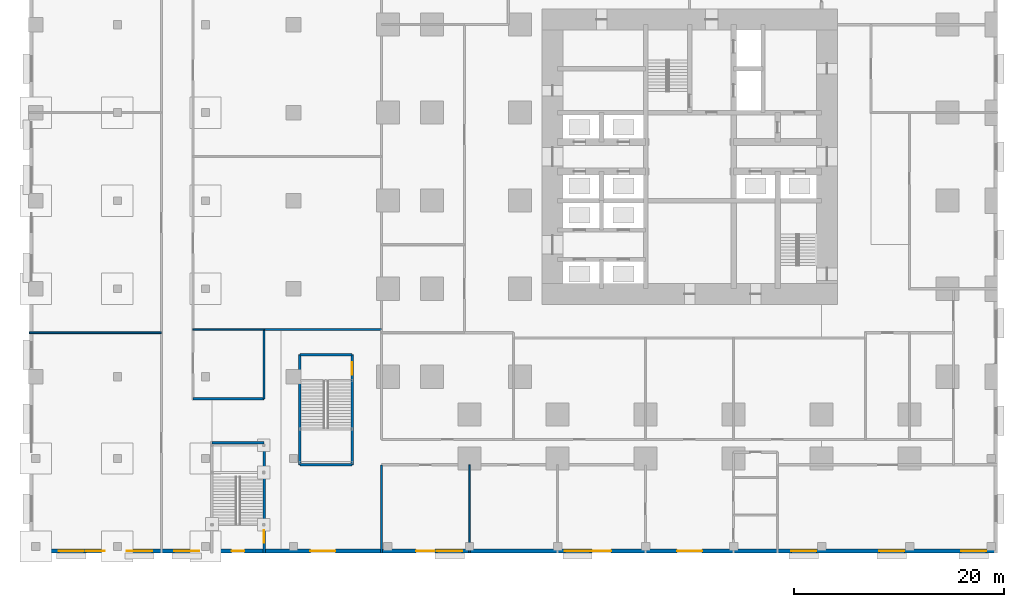
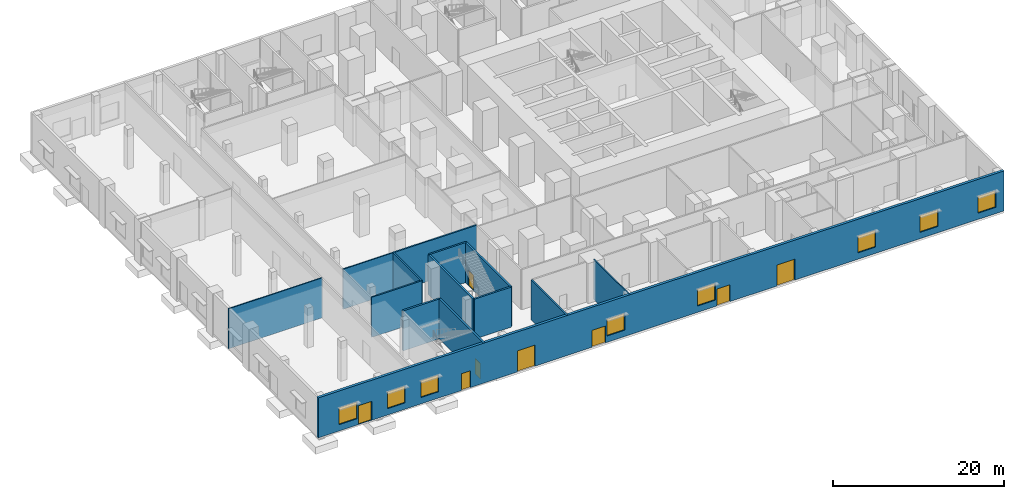
# One storey, part 15 of 26: 14 walls, 8 doors, 8 windows, 16 openings.
"""IFC4 building model written with IfcOpenShell, lengths in metres."""

from ifc_helpers import new_model, si_unit, direction, frame, frame_2d, origin, place, context, subcontext, project, spatial, rectangle, extrude, material, layer, layer_set, type_object, element, fill, save


model = new_model("IFC4")

# Units and contexts
model_context = context("Model", 3, precision=1e-05, world=origin(), true_north=direction((0.0, 1.0)))
body_context = subcontext(model_context, "Body", "Model", "MODEL_VIEW")
ifc_project = project(units=[si_unit("LENGTHUNIT", "METRE"), si_unit("AREAUNIT", "SQUARE_METRE"), si_unit("VOLUMEUNIT", "CUBIC_METRE"), si_unit("PLANEANGLEUNIT", "RADIAN"), si_unit("MASSUNIT", "GRAM", prefix="KILO")], contexts=[model_context])

# Site, building, storey
site_placement = place(None, origin())
site = spatial("IfcSite", under=ifc_project, at=site_placement, CompositionType="ELEMENT")
building_placement = place(site_placement, origin())
building = spatial("IfcBuilding", under=site, at=building_placement, Name="Dunama Terrace Hotel", CompositionType="ELEMENT")
storey_placement = place(building_placement, origin())
storey = spatial("IfcBuildingStorey", under=building, at=storey_placement, Name="L00", CompositionType="ELEMENT", Elevation=0.0)

# Walls
ifc_material_1 = material(Name="Concrete blockwork", Category="masonry")
ifc_layer_1 = layer(ifc_material_1, 0.199951171875)
ifc_layer_set_1 = layer_set([ifc_layer_1], Name="Corridor partition 200")
wall_type_1 = type_object("IfcWallType", Name="Corridor partition 200", PredefinedType="PARTITIONING", material=ifc_layer_set_1)
wall_1_placement = place(storey_placement, frame((-11.199951171875, 6.300048828125, 0.0), z_axis=(0.0, 0.0, 1.0), x_axis=(0.0, 1.0, 0.0)))
element("IfcWall", 1, at=wall_1_placement, inside=storey, type_object=wall_type_1, Name="Corridor partition 200 L00", PredefinedType="PARTITIONING", context=body_context, shape_type="SweptSolid", body=[
    extrude(rectangle(XDim=6.599853515625, YDim=0.199951171875, at=frame_2d((3.2998046875, 0.0))), origin(), (0.0, 0.0, 1.0), 5.699951171875),
])
wall_2_placement = place(storey_placement, frame((0.0, -8.39990234375, 0.0), z_axis=(0.0, 0.0, 1.0), x_axis=(0.0, 1.0, 0.0)))
element("IfcWall", 2, at=wall_2_placement, inside=storey, type_object=wall_type_1, Name="Corridor partition 200 L00", PredefinedType="PARTITIONING", context=body_context, shape_type="SweptSolid", body=[
    extrude(rectangle(XDim=8.39990234375, YDim=0.199951171875, at=frame_2d((4.199951171875, 0.0))), origin(), (0.0, 0.0, 1.0), 5.699951171875),
])
wall_3_placement = place(storey_placement, frame((-18.0, 6.300048828125, 0.0), z_axis=(0.0, 0.0, 1.0), x_axis=(1.0, 0.0, 0.0)))
element("IfcWall", 3, at=wall_3_placement, inside=storey, type_object=wall_type_1, Name="Corridor partition 200 L00", PredefinedType="PARTITIONING", context=body_context, shape_type="SweptSolid", body=[
    extrude(rectangle(XDim=6.800048828125, YDim=0.199951171875, at=frame_2d((3.39990234375, 0.0))), origin(), (0.0, 0.0, 1.0), 5.699951171875),
])
wall_4_placement = place(storey_placement, frame((0.0, 12.89990234375, 0.0), z_axis=(0.0, 0.0, 1.0), x_axis=(-1.0, 0.0, 0.0)))
element("IfcWall", 4, at=wall_4_placement, inside=storey, type_object=wall_type_1, Name="Corridor partition 200 L00", PredefinedType="PARTITIONING", context=body_context, shape_type="SweptSolid", body=[
    extrude(rectangle(XDim=11.199951171875, YDim=0.199951171875, at=frame_2d((5.60009765625, 0.0))), origin(), (0.0, 0.0, 1.0), 5.699951171875),
])

# Wall, openings, doors, windows
ifc_material_2 = material(Name="Granite-faced concrete blockwork", Category="masonry")
ifc_layer_2 = layer(ifc_material_2, 0.35009765625)
ifc_layer_set_2 = layer_set([ifc_layer_2], Name="Podium external wall 350")
wall_type_2 = type_object("IfcWallType", Name="Podium external wall 350", PredefinedType="SOLIDWALL", material=ifc_layer_set_2)
wall_5_placement = place(storey_placement, frame((-33.60009765625, -8.22509765625, 0.0), z_axis=(0.0, 0.0, 1.0), x_axis=(1.0, 0.0, 0.0)))
wall_5 = element("IfcWall", 5, at=wall_5_placement, inside=storey, type_object=wall_type_2, Name="Podium external wall 350 L00", PredefinedType="SOLIDWALL", context=body_context, shape_type="SweptSolid", body=[
    extrude(rectangle(XDim=92.400146484375, YDim=0.35009765625, at=frame_2d((46.2001953125, 0.0))), origin(), (0.0, 0.0, 1.0), 5.699951171875),
])
opening_1_placement = place(wall_5_placement, frame((5.39990234375, 0.0, 0.0)))
opening_1 = element("IfcOpeningElement", 6, at=opening_1_placement, cuts=wall_5, Name="Opening L00-001", PredefinedType="OPENING", context=body_context, shape_type="SweptSolid", body=[
    extrude(rectangle(XDim=1.800048828125, YDim=2.699951171875, at=frame_2d((0.89990234375, 1.35009765625))), frame((0.0, 0.18505859375, 0.0), z_axis=(0.0, -1.0, 0.0), x_axis=(1.0, 0.0, 0.0)), (0.0, 0.0, 1.0), 0.3701171875),
])
opening_2_placement = place(wall_5_placement, frame((2.800048828125, 0.0, 0.89990234375)))
opening_2 = element("IfcOpeningElement", 7, at=opening_2_placement, cuts=wall_5, Name="Opening W1", PredefinedType="OPENING", context=body_context, shape_type="SweptSolid", body=[
    extrude(rectangle(XDim=2.39990234375, YDim=2.39990234375, at=frame_2d((1.199951171875, 1.199951171875))), frame((0.0, 0.18505859375, 0.0), z_axis=(0.0, -1.0, 0.0), x_axis=(1.0, 0.0, 0.0)), (0.0, 0.0, 1.0), 0.3701171875),
])
opening_3_placement = place(wall_5_placement, frame((9.300048828125, 0.0, 0.89990234375)))
opening_3 = element("IfcOpeningElement", 8, at=opening_3_placement, cuts=wall_5, Name="Opening W1", PredefinedType="OPENING", context=body_context, shape_type="SweptSolid", body=[
    extrude(rectangle(XDim=2.39990234375, YDim=2.39990234375, at=frame_2d((1.199951171875, 1.199951171875))), frame((0.0, 0.18505859375, 0.0), z_axis=(0.0, -1.0, 0.0), x_axis=(1.0, 0.0, 0.0)), (0.0, 0.0, 1.0), 0.3701171875),
])
opening_4_placement = place(wall_5_placement, frame((13.800048828125, 0.0, 0.89990234375)))
opening_4 = element("IfcOpeningElement", 9, at=opening_4_placement, cuts=wall_5, Name="Opening W1", PredefinedType="OPENING", context=body_context, shape_type="SweptSolid", body=[
    extrude(rectangle(XDim=2.39990234375, YDim=2.39990234375, at=frame_2d((1.199951171875, 1.199951171875))), frame((0.0, 0.18505859375, 0.0), z_axis=(0.0, -1.0, 0.0), x_axis=(1.0, 0.0, 0.0)), (0.0, 0.0, 1.0), 0.3701171875),
])
opening_5_placement = place(wall_5_placement, frame((19.300048828125, 0.0, 0.0)))
opening_5 = element("IfcOpeningElement", 10, at=opening_5_placement, cuts=wall_5, Name="Opening L00-002", PredefinedType="OPENING", context=body_context, shape_type="SweptSolid", body=[
    extrude(rectangle(XDim=1.199951171875, YDim=2.39990234375, at=frame_2d((0.60009765625, 1.199951171875))), frame((0.0, 0.18505859375, 0.0), z_axis=(0.0, -1.0, 0.0), x_axis=(1.0, 0.0, 0.0)), (0.0, 0.0, 1.0), 0.3701171875),
])
opening_6_placement = place(wall_5_placement, frame((26.800048828125, 0.0, 0.0)))
opening_6 = element("IfcOpeningElement", 11, at=opening_6_placement, cuts=wall_5, Name="Opening L00-003", PredefinedType="OPENING", context=body_context, shape_type="SweptSolid", body=[
    extrude(rectangle(XDim=2.39990234375, YDim=3.0, at=frame_2d((1.199951171875, 1.5))), frame((0.0, 0.18505859375, 0.0), z_axis=(0.0, -1.0, 0.0), x_axis=(1.0, 0.0, 0.0)), (0.0, 0.0, 1.0), 0.3701171875),
])
opening_7_placement = place(wall_5_placement, frame((36.89990234375, 0.0, 0.0)))
opening_7 = element("IfcOpeningElement", 12, at=opening_7_placement, cuts=wall_5, Name="Opening L00-004", PredefinedType="OPENING", context=body_context, shape_type="SweptSolid", body=[
    extrude(rectangle(XDim=1.800048828125, YDim=2.39990234375, at=frame_2d((0.89990234375, 1.199951171875))), frame((0.0, 0.18505859375, 0.0), z_axis=(0.0, -1.0, 0.0), x_axis=(1.0, 0.0, 0.0)), (0.0, 0.0, 1.0), 0.3701171875),
])
opening_8_placement = place(wall_5_placement, frame((38.89990234375, 0.0, 0.89990234375)))
opening_8 = element("IfcOpeningElement", 13, at=opening_8_placement, cuts=wall_5, Name="Opening W1", PredefinedType="OPENING", context=body_context, shape_type="SweptSolid", body=[
    extrude(rectangle(XDim=2.39990234375, YDim=2.39990234375, at=frame_2d((1.199951171875, 1.199951171875))), frame((0.0, 0.18505859375, 0.0), z_axis=(0.0, -1.0, 0.0), x_axis=(1.0, 0.0, 0.0)), (0.0, 0.0, 1.0), 0.3701171875),
])
opening_9_placement = place(wall_5_placement, frame((53.699951171875, 0.0, 0.0)))
opening_9 = element("IfcOpeningElement", 14, at=opening_9_placement, cuts=wall_5, Name="Opening L00-005", PredefinedType="OPENING", context=body_context, shape_type="SweptSolid", body=[
    extrude(rectangle(XDim=1.800048828125, YDim=2.39990234375, at=frame_2d((0.89990234375, 1.199951171875))), frame((0.0, 0.18505859375, 0.0), z_axis=(0.0, -1.0, 0.0), x_axis=(1.0, 0.0, 0.0)), (0.0, 0.0, 1.0), 0.3701171875),
])
opening_10_placement = place(wall_5_placement, frame((51.10009765625, 0.0, 0.89990234375)))
opening_10 = element("IfcOpeningElement", 15, at=opening_10_placement, cuts=wall_5, Name="Opening W1", PredefinedType="OPENING", context=body_context, shape_type="SweptSolid", body=[
    extrude(rectangle(XDim=2.39990234375, YDim=2.39990234375, at=frame_2d((1.199951171875, 1.199951171875))), frame((0.0, 0.18505859375, 0.0), z_axis=(0.0, -1.0, 0.0), x_axis=(1.0, 0.0, 0.0)), (0.0, 0.0, 1.0), 0.3701171875),
])
opening_11_placement = place(wall_5_placement, frame((61.800048828125, 0.0, 0.0)))
opening_11 = element("IfcOpeningElement", 16, at=opening_11_placement, cuts=wall_5, Name="Opening L00-006", PredefinedType="OPENING", context=body_context, shape_type="SweptSolid", body=[
    extrude(rectangle(XDim=2.39990234375, YDim=3.0, at=frame_2d((1.199951171875, 1.5))), frame((0.0, 0.18505859375, 0.0), z_axis=(0.0, -1.0, 0.0), x_axis=(1.0, 0.0, 0.0)), (0.0, 0.0, 1.0), 0.3701171875),
])
opening_12_placement = place(wall_5_placement, frame((72.699951171875, 0.0, 0.89990234375)))
opening_12 = element("IfcOpeningElement", 17, at=opening_12_placement, cuts=wall_5, Name="Opening W1", PredefinedType="OPENING", context=body_context, shape_type="SweptSolid", body=[
    extrude(rectangle(XDim=2.39990234375, YDim=2.39990234375, at=frame_2d((1.199951171875, 1.199951171875))), frame((0.0, 0.18505859375, 0.0), z_axis=(0.0, -1.0, 0.0), x_axis=(1.0, 0.0, 0.0)), (0.0, 0.0, 1.0), 0.3701171875),
])
opening_13_placement = place(wall_5_placement, frame((81.10009765625, 0.0, 0.89990234375)))
opening_13 = element("IfcOpeningElement", 18, at=opening_13_placement, cuts=wall_5, Name="Opening W1", PredefinedType="OPENING", context=body_context, shape_type="SweptSolid", body=[
    extrude(rectangle(XDim=2.39990234375, YDim=2.39990234375, at=frame_2d((1.199951171875, 1.199951171875))), frame((0.0, 0.18505859375, 0.0), z_axis=(0.0, -1.0, 0.0), x_axis=(1.0, 0.0, 0.0)), (0.0, 0.0, 1.0), 0.3701171875),
])
opening_14_placement = place(wall_5_placement, frame((88.89990234375, 0.0, 0.89990234375)))
opening_14 = element("IfcOpeningElement", 19, at=opening_14_placement, cuts=wall_5, Name="Opening W1", PredefinedType="OPENING", context=body_context, shape_type="SweptSolid", body=[
    extrude(rectangle(XDim=2.39990234375, YDim=2.39990234375, at=frame_2d((1.199951171875, 1.199951171875))), frame((0.0, 0.18505859375, 0.0), z_axis=(0.0, -1.0, 0.0), x_axis=(1.0, 0.0, 0.0)), (0.0, 0.0, 1.0), 0.3701171875),
])
ifc_material_3 = material(Name="Aluminium-framed glazed door", Category="aluminium")
door_type_1 = type_object("IfcDoorType", Name="Exit door 1800", OperationType="DOUBLE_DOOR_DOUBLE_SWING", PredefinedType="DOOR", material=ifc_material_3)
door_1_placement = place(opening_7_placement, origin())
door_1 = element("IfcDoor", 20, at=door_1_placement, inside=storey, type_object=door_type_1, Name="Street door Fire command centre L00-004, type D10", OperationType="DOUBLE_DOOR_DOUBLE_SWING", OverallHeight=2.39990234375, OverallWidth=1.800048828125, PredefinedType="DOOR", context=body_context, shape_type="SweptSolid", body=[
    extrude(rectangle(XDim=1.800048828125, YDim=2.39990234375, at=frame_2d((0.89990234375, 1.199951171875))), frame((0.0, 0.02490234375, 0.0), z_axis=(0.0, -1.0, 0.0), x_axis=(1.0, 0.0, 0.0)), (0.0, 0.0, 1.0), 0.050048828125),
])
fill(opening_7, door_1)
door_2_placement = place(opening_9_placement, origin())
door_2 = element("IfcDoor", 21, at=door_2_placement, inside=storey, type_object=door_type_1, Name="Street door Staff entrance and security L00-005, type D10", OperationType="DOUBLE_DOOR_DOUBLE_SWING", OverallHeight=2.39990234375, OverallWidth=1.800048828125, PredefinedType="DOOR", context=body_context, shape_type="SweptSolid", body=[
    extrude(rectangle(XDim=1.800048828125, YDim=2.39990234375, at=frame_2d((0.89990234375, 1.199951171875))), frame((0.0, 0.02490234375, 0.0), z_axis=(0.0, -1.0, 0.0), x_axis=(1.0, 0.0, 0.0)), (0.0, 0.0, 1.0), 0.050048828125),
])
fill(opening_9, door_2)
ifc_material_4 = material(Name="Aluminium-framed glazed door", Category="aluminium")
door_type_2 = type_object("IfcDoorType", Name="Main entrance door 2400", OperationType="DOUBLE_DOOR_DOUBLE_SWING", PredefinedType="DOOR", material=ifc_material_4)
door_3_placement = place(opening_6_placement, origin())
door_3 = element("IfcDoor", 22, at=door_3_placement, inside=storey, type_object=door_type_2, Name="Entrance door L00-003, type D14", OperationType="DOUBLE_DOOR_DOUBLE_SWING", OverallHeight=3.0, OverallWidth=2.39990234375, PredefinedType="DOOR", context=body_context, shape_type="SweptSolid", body=[
    extrude(rectangle(XDim=2.39990234375, YDim=3.0, at=frame_2d((1.199951171875, 1.5))), frame((0.0, 0.02490234375, 0.0), z_axis=(0.0, -1.0, 0.0), x_axis=(1.0, 0.0, 0.0)), (0.0, 0.0, 1.0), 0.050048828125),
])
fill(opening_6, door_3)
door_4_placement = place(opening_11_placement, origin())
door_4 = element("IfcDoor", 23, at=door_4_placement, inside=storey, type_object=door_type_2, Name="Entrance door L00-006, type D14", OperationType="DOUBLE_DOOR_DOUBLE_SWING", OverallHeight=3.0, OverallWidth=2.39990234375, PredefinedType="DOOR", context=body_context, shape_type="SweptSolid", body=[
    extrude(rectangle(XDim=2.39990234375, YDim=3.0, at=frame_2d((1.199951171875, 1.5))), frame((0.0, 0.02490234375, 0.0), z_axis=(0.0, -1.0, 0.0), x_axis=(1.0, 0.0, 0.0)), (0.0, 0.0, 1.0), 0.050048828125),
])
fill(opening_11, door_4)
ifc_material_5 = material(Name="Aluminium-framed double glazed window", Category="aluminium")
window_type = type_object("IfcWindowType", Name="Podium window 2400", PartitioningType="SINGLE_PANEL", PredefinedType="WINDOW", material=ifc_material_5)
window_1_placement = place(opening_2_placement, origin())
window_1 = element("IfcWindow", 24, at=window_1_placement, inside=storey, type_object=window_type, Name="Podium window 2400 L00", OverallHeight=2.39990234375, OverallWidth=2.39990234375, PartitioningType="SINGLE_PANEL", PredefinedType="WINDOW", context=body_context, shape_type="SweptSolid", body=[
    extrude(rectangle(XDim=2.39990234375, YDim=2.39990234375, at=frame_2d((1.199951171875, 1.199951171875))), frame((0.0, 0.030029296875, 0.0), z_axis=(0.0, -1.0, 0.0), x_axis=(1.0, 0.0, 0.0)), (0.0, 0.0, 1.0), 0.06005859375),
])
fill(opening_2, window_1)
window_2_placement = place(opening_3_placement, origin())
window_2 = element("IfcWindow", 25, at=window_2_placement, inside=storey, type_object=window_type, Name="Podium window 2400 L00", OverallHeight=2.39990234375, OverallWidth=2.39990234375, PartitioningType="SINGLE_PANEL", PredefinedType="WINDOW", context=body_context, shape_type="SweptSolid", body=[
    extrude(rectangle(XDim=2.39990234375, YDim=2.39990234375, at=frame_2d((1.199951171875, 1.199951171875))), frame((0.0, 0.030029296875, 0.0), z_axis=(0.0, -1.0, 0.0), x_axis=(1.0, 0.0, 0.0)), (0.0, 0.0, 1.0), 0.06005859375),
])
fill(opening_3, window_2)
window_3_placement = place(opening_4_placement, origin())
window_3 = element("IfcWindow", 26, at=window_3_placement, inside=storey, type_object=window_type, Name="Podium window 2400 L00", OverallHeight=2.39990234375, OverallWidth=2.39990234375, PartitioningType="SINGLE_PANEL", PredefinedType="WINDOW", context=body_context, shape_type="SweptSolid", body=[
    extrude(rectangle(XDim=2.39990234375, YDim=2.39990234375, at=frame_2d((1.199951171875, 1.199951171875))), frame((0.0, 0.030029296875, 0.0), z_axis=(0.0, -1.0, 0.0), x_axis=(1.0, 0.0, 0.0)), (0.0, 0.0, 1.0), 0.06005859375),
])
fill(opening_4, window_3)
window_4_placement = place(opening_8_placement, origin())
window_4 = element("IfcWindow", 27, at=window_4_placement, inside=storey, type_object=window_type, Name="Podium window 2400 L00", OverallHeight=2.39990234375, OverallWidth=2.39990234375, PartitioningType="SINGLE_PANEL", PredefinedType="WINDOW", context=body_context, shape_type="SweptSolid", body=[
    extrude(rectangle(XDim=2.39990234375, YDim=2.39990234375, at=frame_2d((1.199951171875, 1.199951171875))), frame((0.0, 0.030029296875, 0.0), z_axis=(0.0, -1.0, 0.0), x_axis=(1.0, 0.0, 0.0)), (0.0, 0.0, 1.0), 0.06005859375),
])
fill(opening_8, window_4)
window_5_placement = place(opening_10_placement, origin())
window_5 = element("IfcWindow", 28, at=window_5_placement, inside=storey, type_object=window_type, Name="Podium window 2400 L00", OverallHeight=2.39990234375, OverallWidth=2.39990234375, PartitioningType="SINGLE_PANEL", PredefinedType="WINDOW", context=body_context, shape_type="SweptSolid", body=[
    extrude(rectangle(XDim=2.39990234375, YDim=2.39990234375, at=frame_2d((1.199951171875, 1.199951171875))), frame((0.0, 0.030029296875, 0.0), z_axis=(0.0, -1.0, 0.0), x_axis=(1.0, 0.0, 0.0)), (0.0, 0.0, 1.0), 0.06005859375),
])
fill(opening_10, window_5)
window_6_placement = place(opening_12_placement, origin())
window_6 = element("IfcWindow", 29, at=window_6_placement, inside=storey, type_object=window_type, Name="Podium window 2400 L00", OverallHeight=2.39990234375, OverallWidth=2.39990234375, PartitioningType="SINGLE_PANEL", PredefinedType="WINDOW", context=body_context, shape_type="SweptSolid", body=[
    extrude(rectangle(XDim=2.39990234375, YDim=2.39990234375, at=frame_2d((1.199951171875, 1.199951171875))), frame((0.0, 0.030029296875, 0.0), z_axis=(0.0, -1.0, 0.0), x_axis=(1.0, 0.0, 0.0)), (0.0, 0.0, 1.0), 0.06005859375),
])
fill(opening_12, window_6)
window_7_placement = place(opening_13_placement, origin())
window_7 = element("IfcWindow", 30, at=window_7_placement, inside=storey, type_object=window_type, Name="Podium window 2400 L00", OverallHeight=2.39990234375, OverallWidth=2.39990234375, PartitioningType="SINGLE_PANEL", PredefinedType="WINDOW", context=body_context, shape_type="SweptSolid", body=[
    extrude(rectangle(XDim=2.39990234375, YDim=2.39990234375, at=frame_2d((1.199951171875, 1.199951171875))), frame((0.0, 0.030029296875, 0.0), z_axis=(0.0, -1.0, 0.0), x_axis=(1.0, 0.0, 0.0)), (0.0, 0.0, 1.0), 0.06005859375),
])
fill(opening_13, window_7)
window_8_placement = place(opening_14_placement, origin())
window_8 = element("IfcWindow", 31, at=window_8_placement, inside=storey, type_object=window_type, Name="Podium window 2400 L00", OverallHeight=2.39990234375, OverallWidth=2.39990234375, PartitioningType="SINGLE_PANEL", PredefinedType="WINDOW", context=body_context, shape_type="SweptSolid", body=[
    extrude(rectangle(XDim=2.39990234375, YDim=2.39990234375, at=frame_2d((1.199951171875, 1.199951171875))), frame((0.0, 0.030029296875, 0.0), z_axis=(0.0, -1.0, 0.0), x_axis=(1.0, 0.0, 0.0)), (0.0, 0.0, 1.0), 0.06005859375),
])
fill(opening_14, window_8)
ifc_material_6 = material(Name="Aluminium-framed glazed door", Category="aluminium")
door_type_3 = type_object("IfcDoorType", Name="Shopfront door 1800", OperationType="DOUBLE_DOOR_DOUBLE_SWING", PredefinedType="DOOR", material=ifc_material_6)
door_5_placement = place(opening_1_placement, origin())
door_5 = element("IfcDoor", 32, at=door_5_placement, inside=storey, type_object=door_type_3, Name="Street door Retail unit R1 L00-001, type D11", OperationType="DOUBLE_DOOR_DOUBLE_SWING", OverallHeight=2.699951171875, OverallWidth=1.800048828125, PredefinedType="DOOR", context=body_context, shape_type="SweptSolid", body=[
    extrude(rectangle(XDim=1.800048828125, YDim=2.699951171875, at=frame_2d((0.89990234375, 1.35009765625))), frame((0.0, 0.02490234375, 0.0), z_axis=(0.0, -1.0, 0.0), x_axis=(1.0, 0.0, 0.0)), (0.0, 0.0, 1.0), 0.050048828125),
])
fill(opening_1, door_5)
ifc_material_7 = material(Name="Timber door with steel frame", Category="steel")
door_type_4 = type_object("IfcDoorType", Name="Stair exit door 1200", OperationType="SINGLE_SWING_LEFT", PredefinedType="DOOR", material=ifc_material_7)
door_6_placement = place(opening_5_placement, frame((1.199951171875, 0.0, 0.0), z_axis=(0.0, 0.0, 1.0), x_axis=(-1.0, 0.0, 0.0)))
door_6 = element("IfcDoor", 33, at=door_6_placement, inside=storey, type_object=door_type_4, Name="Exit door Exit stair P2 L00-002, type D15", OperationType="SINGLE_SWING_RIGHT", OverallHeight=2.39990234375, OverallWidth=1.199951171875, PredefinedType="DOOR", context=body_context, shape_type="SweptSolid", body=[
    extrude(rectangle(XDim=1.199951171875, YDim=2.39990234375, at=frame_2d((0.599853515625, 1.199951171875))), frame((0.0, 0.025146484375, 0.0), z_axis=(0.0, -1.0, 0.0), x_axis=(1.0, 0.0, 0.0)), (0.0, 0.0, 1.0), 0.050048828125),
])
fill(opening_5, door_6)

# Walls
ifc_material_8 = material(Name="Gypsum board partition", Category="masonry")
ifc_layer_3 = layer(ifc_material_8, 0.14990234375)
ifc_layer_set_3 = layer_set([ifc_layer_3], Name="Room partition 150")
wall_type_3 = type_object("IfcWallType", Name="Room partition 150", PredefinedType="PARTITIONING", material=ifc_layer_set_3)
wall_6_placement = place(storey_placement, frame((8.39990234375, -8.39990234375, 0.0), z_axis=(0.0, 0.0, 1.0), x_axis=(0.0, 1.0, 0.0)))
element("IfcWall", 34, at=wall_6_placement, inside=storey, type_object=wall_type_3, Name="Room partition 150 L00", PredefinedType="PARTITIONING", context=body_context, shape_type="SweptSolid", body=[
    extrude(rectangle(XDim=8.39990234375, YDim=0.14990234375, at=frame_2d((4.199951171875, 0.0))), origin(), (0.0, 0.0, 1.0), 5.699951171875),
])
wall_7_placement = place(storey_placement, frame((-33.60009765625, 12.60009765625, 0.0), z_axis=(0.0, 0.0, 1.0), x_axis=(1.0, 0.0, 0.0)))
element("IfcWall", 35, at=wall_7_placement, inside=storey, type_object=wall_type_3, Name="Room partition 150 L00", PredefinedType="PARTITIONING", context=body_context, shape_type="SweptSolid", body=[
    extrude(rectangle(XDim=12.60009765625, YDim=0.14990234375, at=frame_2d((6.300048828125, 0.0))), origin(), (0.0, 0.0, 1.0), 5.699951171875),
])
wall_8_placement = place(storey_placement, frame((-18.0, 12.89990234375, 0.0), z_axis=(0.0, 0.0, 1.0), x_axis=(1.0, 0.0, 0.0)))
element("IfcWall", 36, at=wall_8_placement, inside=storey, type_object=wall_type_3, Name="Room partition 150 L00", PredefinedType="PARTITIONING", context=body_context, shape_type="SweptSolid", body=[
    extrude(rectangle(XDim=6.800048828125, YDim=0.14990234375, at=frame_2d((3.39990234375, 0.0))), origin(), (0.0, 0.0, 1.0), 5.699951171875),
])

# Wall, opening, door
ifc_material_9 = material(Name="Concrete blockwork", Category="masonry")
ifc_layer_4 = layer(ifc_material_9, 0.25)
ifc_layer_set_4 = layer_set([ifc_layer_4], Name="Stair enclosure wall 250")
wall_type_4 = type_object("IfcWallType", Name="Stair enclosure wall 250", PredefinedType="PARTITIONING", material=ifc_layer_set_4)
wall_9_placement = place(storey_placement, frame((-11.199951171875, -8.39990234375, 0.0), z_axis=(0.0, 0.0, 1.0), x_axis=(0.0, 1.0, 0.0)))
wall_9 = element("IfcWall", 37, at=wall_9_placement, inside=storey, type_object=wall_type_4, Name="Stair enclosure wall 250 L00", PredefinedType="PARTITIONING", context=body_context, shape_type="SweptSolid", body=[
    extrude(rectangle(XDim=10.5, YDim=0.25, at=frame_2d((5.25, 0.0))), origin(), (0.0, 0.0, 1.0), 5.699951171875),
])
opening_15_placement = place(wall_9_placement, frame((0.949951171875, 0.0, 0.0)))
opening_15 = element("IfcOpeningElement", 38, at=opening_15_placement, cuts=wall_9, Name="Opening L00-023", PredefinedType="OPENING", context=body_context, shape_type="SweptSolid", body=[
    extrude(rectangle(XDim=1.199951171875, YDim=2.199951171875, at=frame_2d((0.60009765625, 1.10009765625))), frame((0.0, 0.135009765625, 0.0), z_axis=(0.0, -1.0, 0.0), x_axis=(1.0, 0.0, 0.0)), (0.0, 0.0, 1.0), 0.27001953125),
])
ifc_material_10 = material(Name="Timber door with steel frame", Category="steel")
door_type_5 = type_object("IfcDoorType", Name="Stair door 1200", OperationType="SINGLE_SWING_LEFT", PredefinedType="DOOR", material=ifc_material_10)
door_7_placement = place(opening_15_placement, frame((1.199951171875, 0.0, 0.0), z_axis=(0.0, 0.0, 1.0), x_axis=(-1.0, 0.0, 0.0)))
door_7 = element("IfcDoor", 39, at=door_7_placement, inside=storey, type_object=door_type_5, Name="Stair door P2 L00-023, type D5", OperationType="SINGLE_SWING_LEFT", OverallHeight=2.199951171875, OverallWidth=1.199951171875, PredefinedType="DOOR", context=body_context, shape_type="SweptSolid", body=[
    extrude(rectangle(XDim=1.199951171875, YDim=2.199951171875, at=frame_2d((0.599853515625, 1.10009765625))), frame((0.0, 0.025146484375, 0.0), z_axis=(0.0, -1.0, 0.0), x_axis=(1.0, 0.0, 0.0)), (0.0, 0.0, 1.0), 0.050048828125),
])
fill(opening_15, door_7)

# Wall
wall_10_placement = place(storey_placement, frame((-7.800048828125, 0.0, 0.0), z_axis=(0.0, 0.0, 1.0), x_axis=(0.0, 1.0, 0.0)))
element("IfcWall", 40, at=wall_10_placement, inside=storey, type_object=wall_type_4, Name="Stair enclosure wall 250 L00", PredefinedType="PARTITIONING", context=body_context, shape_type="SweptSolid", body=[
    extrude(rectangle(XDim=10.5, YDim=0.25, at=frame_2d((5.25, 0.0))), origin(), (0.0, 0.0, 1.0), 5.699951171875),
])

# Wall, opening, door
wall_11_placement = place(storey_placement, frame((-2.800048828125, 0.0, 0.0), z_axis=(0.0, 0.0, 1.0), x_axis=(0.0, 1.0, 0.0)))
wall_11 = element("IfcWall", 41, at=wall_11_placement, inside=storey, type_object=wall_type_4, Name="Stair enclosure wall 250 L00", PredefinedType="PARTITIONING", context=body_context, shape_type="SweptSolid", body=[
    extrude(rectangle(XDim=10.5, YDim=0.25, at=frame_2d((5.25, 0.0))), origin(), (0.0, 0.0, 1.0), 5.699951171875),
])
opening_16_placement = place(wall_11_placement, frame((8.574951171875, 0.0, 0.0)))
opening_16 = element("IfcOpeningElement", 42, at=opening_16_placement, cuts=wall_11, Name="Opening L00-025", PredefinedType="OPENING", context=body_context, shape_type="SweptSolid", body=[
    extrude(rectangle(XDim=1.199951171875, YDim=2.199951171875, at=frame_2d((0.60009765625, 1.10009765625))), frame((0.0, 0.135009765625, 0.0), z_axis=(0.0, -1.0, 0.0), x_axis=(1.0, 0.0, 0.0)), (0.0, 0.0, 1.0), 0.27001953125),
])
door_8_placement = place(opening_16_placement, frame((1.199951171875, 0.0, 0.0), z_axis=(0.0, 0.0, 1.0), x_axis=(-1.0, 0.0, 0.0)))
door_8 = element("IfcDoor", 43, at=door_8_placement, inside=storey, type_object=door_type_5, Name="Stair door P4 L00-025, type D5", OperationType="SINGLE_SWING_RIGHT", OverallHeight=2.199951171875, OverallWidth=1.199951171875, PredefinedType="DOOR", context=body_context, shape_type="SweptSolid", body=[
    extrude(rectangle(XDim=1.199951171875, YDim=2.199951171875, at=frame_2d((0.599853515625, 1.10009765625))), frame((0.0, 0.025146484375, 0.0), z_axis=(0.0, -1.0, 0.0), x_axis=(1.0, 0.0, 0.0)), (0.0, 0.0, 1.0), 0.050048828125),
])
fill(opening_16, door_8)

# Walls
for number, where, z_axis, x_axis, name in (
    (44, (-7.800048828125, 0.0, 0.0), (0.0, 0.0, 1.0), (1.0, 0.0, 0.0), "Stair enclosure wall 250 L00"),
    (45, (-16.199951171875, 2.10009765625, 0.0), (0.0, 0.0, 1.0), (1.0, 0.0, 0.0), "Stair enclosure wall 250 L00"),
    (46, (-7.800048828125, 10.5, 0.0), (0.0, 0.0, 1.0), (1.0, 0.0, 0.0), "Stair enclosure wall 250 L00"),
):
    element("IfcWall", number, at=place(storey_placement, frame(where, z_axis=z_axis, x_axis=x_axis)), inside=storey, type_object=wall_type_4, Name=name, PredefinedType="PARTITIONING", context=body_context, shape_type="SweptSolid", body=[
        extrude(rectangle(XDim=5.0, YDim=0.25, at=frame_2d((2.5, 0.0))), origin(), (0.0, 0.0, 1.0), 5.699951171875),
    ])

save(model, "model.ifc")
